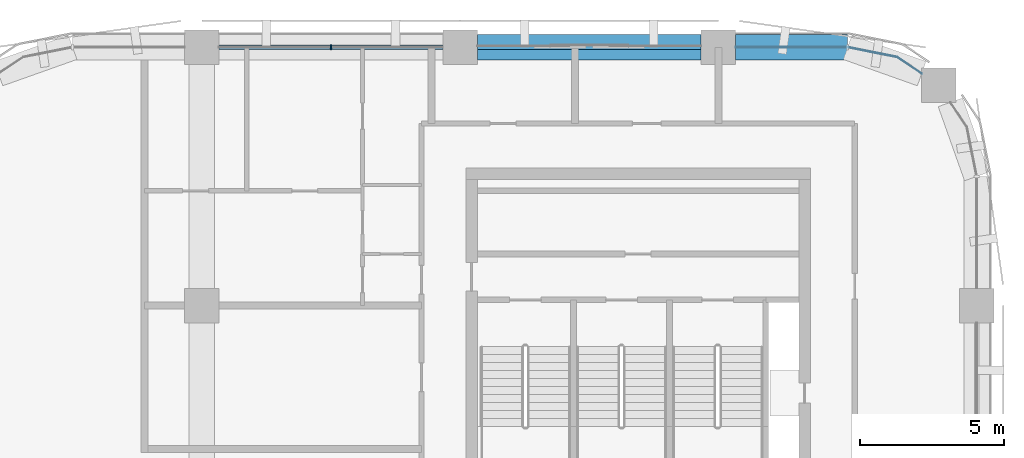
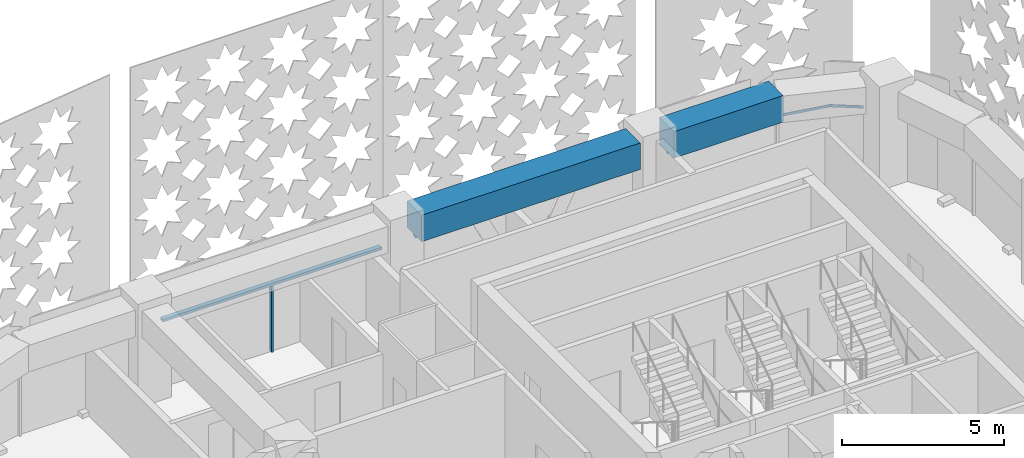
# One storey, part 4 of 15: 4 members, 2 beams, 3 elements without a shape of their own.
"""IFC4 building model written with IfcOpenShell, lengths in metres."""

from ifc_helpers import new_model, si_unit, direction, frame, origin, origin_2d, place, context, subcontext, project, spatial, polyline, rectangle, outline, extrude, material, material_profile, profile_set, type_object, element, aggregate, save


model = new_model("IFC4")

# Units and contexts
model_context = context("Model", 3, precision=1e-05, world=origin(), true_north=direction((0.0, 1.0)))
body_context = subcontext(model_context, "Body", "Model", "MODEL_VIEW")
ifc_project = project(units=[si_unit("LENGTHUNIT", "METRE"), si_unit("AREAUNIT", "SQUARE_METRE"), si_unit("VOLUMEUNIT", "CUBIC_METRE"), si_unit("PLANEANGLEUNIT", "RADIAN"), si_unit("MASSUNIT", "GRAM", prefix="KILO")], contexts=[model_context])

# Site, building, storey
site_placement = place(None, origin())
site = spatial("IfcSite", under=ifc_project, at=site_placement, CompositionType="ELEMENT")
building_placement = place(site_placement, origin())
building = spatial("IfcBuilding", under=site, at=building_placement, Name="Tessera Arch", CompositionType="ELEMENT")
storey_placement = place(building_placement, frame((0.0, 0.0, 257.89990234375)))
storey = spatial("IfcBuildingStorey", under=building, at=storey_placement, Name="L62", CompositionType="ELEMENT", Elevation=257.89990234375)

# Curtain wall, members
ifc_material_1 = material(Name="CW1 curtain wall")
curtain_wall_type_1 = type_object("IfcCurtainWallType", Name="CW1 curtain wall", PredefinedType="NOTDEFINED", material=ifc_material_1)
curtain_wall_1_placement = place(storey_placement, origin())
curtain_wall_1 = element("IfcCurtainWall", 1, at=curtain_wall_1_placement, inside=storey, type_object=curtain_wall_type_1, Name="CW1 curtain wall N54.18/2 L62", PredefinedType="NOTDEFINED")
ifc_material_2 = material(Name="Anodised aluminium pale metal", Category="aluminium")
ifc_material_profile_1 = material_profile(ifc_material_2, rectangle(XDim=0.159912109375, YDim=0.06005859375, at=origin_2d()), Name="AL 60x160")
ifc_profile_set_1 = profile_set([ifc_material_profile_1], Name="Anodised aluminium pale metal")
member_type_1 = type_object("IfcMemberType", Name="CW1 mullion", PredefinedType="MULLION", material=ifc_profile_set_1)
member_1_placement = place(storey_placement, frame((31.5, 54.0, 0.0), z_axis=(0.0, 0.0, 1.0), x_axis=(0.0, -1.0, 0.0)))
member_1 = element("IfcMember", 2, at=member_1_placement, type_object=member_type_1, Name="CW1 mullion N54.18/2 1", PredefinedType="MULLION", context=body_context, shape_type="SweptSolid", body=[
    extrude(rectangle(XDim=0.159912109375, YDim=0.06005859375, at=origin_2d()), origin(), (0.0, 0.0, 1.0), 2.5),
])
ifc_material_3 = material(Name="Anodised aluminium pale metal", Category="aluminium")
ifc_material_profile_2 = material_profile(ifc_material_3, rectangle(XDim=0.159912109375, YDim=0.10009765625, at=origin_2d()), Name="AL 160x100")
ifc_profile_set_2 = profile_set([ifc_material_profile_2], Name="Anodised aluminium pale metal")
member_type_2 = type_object("IfcMemberType", Name="CW1 transom", PredefinedType="USERDEFINED", material=ifc_profile_set_2)
member_2_placement = place(storey_placement, frame((35.39990234375, 54.0, 2.550048828125), z_axis=(-1.0, 0.0, 0.0), x_axis=(0.0, -1.0, 0.0)))
member_2 = element("IfcMember", 3, at=member_2_placement, type_object=member_type_2, Name="CW1 transom N54.18/2 1.1", ObjectType="TRANSOM", PredefinedType="USERDEFINED", context=body_context, shape_type="SweptSolid", body=[
    extrude(rectangle(XDim=0.159912109375, YDim=0.10009765625, at=origin_2d()), origin(), (0.0, 0.0, 1.0), 7.7998046875),
])
aggregate(curtain_wall_1, [member_1, member_2])

# Curtain wall, member
ifc_material_4 = material(Name="CW2 curtain wall")
curtain_wall_type_2 = type_object("IfcCurtainWallType", Name="CW2 curtain wall", PredefinedType="NOTDEFINED", material=ifc_material_4)
curtain_wall_2_placement = place(storey_placement, origin())
curtain_wall_2 = element("IfcCurtainWall", 4, at=curtain_wall_2_placement, inside=storey, type_object=curtain_wall_type_2, Name="CW2 curtain wall N54.18/0 L62", PredefinedType="NOTDEFINED")
ifc_material_5 = material(Name="Anodised aluminium pale metal", Category="aluminium")
ifc_material_profile_3 = material_profile(ifc_material_5, rectangle(XDim=0.199951171875, YDim=0.10009765625, at=origin_2d()), Name="AL 200x100")
ifc_profile_set_3 = profile_set([ifc_material_profile_3], Name="Anodised aluminium pale metal")
member_type_3 = type_object("IfcMemberType", Name="CW2 transom", PredefinedType="USERDEFINED", material=ifc_profile_set_3)
member_3_placement = place(storey_placement, frame((0.0, 0.0, 2.5)))
member_3 = element("IfcMember", 5, at=member_3_placement, type_object=member_type_3, Name="CW2 transom N54.18/0 1", ObjectType="TRANSOM", PredefinedType="USERDEFINED", context=body_context, shape_type="SweptSolid", body=[
    extrude(outline(polyline([(51.21826171875, 53.648193359375), (52.076416015625, 53.07470703125), (52.087646484375, 53.09130859375), (51.22607421875, 53.6669921875), (49.5009765625, 54.010009765625), (45.60009765625, 54.010009765625), (45.60009765625, 53.989990234375), (49.4990234375, 53.989990234375), (51.21826171875, 53.648193359375)])), origin(), (0.0, 0.0, 1.0), 0.10009765625),
])
aggregate(curtain_wall_2, [member_3])

ifc_material_6 = material(Name="CW3 curtain wall")
curtain_wall_type_3 = type_object("IfcCurtainWallType", Name="CW3 curtain wall", PredefinedType="NOTDEFINED", material=ifc_material_6)
curtain_wall_3_placement = place(storey_placement, origin())
curtain_wall_3 = element("IfcCurtainWall", 6, at=curtain_wall_3_placement, inside=storey, type_object=curtain_wall_type_3, Name="CW3 curtain wall N54.18/1 L62", PredefinedType="NOTDEFINED")
ifc_material_7 = material(Name="Anodised aluminium pale metal", Category="aluminium")
ifc_material_profile_4 = material_profile(ifc_material_7, rectangle(XDim=0.139892578125, YDim=0.10009765625, at=origin_2d()), Name="AL 140x100")
ifc_profile_set_4 = profile_set([ifc_material_profile_4], Name="Anodised aluminium pale metal")
member_type_4 = type_object("IfcMemberType", Name="CW3 transom", PredefinedType="USERDEFINED", material=ifc_profile_set_4)
member_4_placement = place(storey_placement, frame((44.39990234375, 54.0, 2.550048828125), z_axis=(-1.0, 0.0, 0.0), x_axis=(0.0, -1.0, 0.0)))
member_4 = element("IfcMember", 7, at=member_4_placement, type_object=member_type_4, Name="CW3 transom N54.18/1 1.1", ObjectType="TRANSOM", PredefinedType="USERDEFINED", context=body_context, shape_type="SweptSolid", body=[
    extrude(rectangle(XDim=0.139892578125, YDim=0.10009765625, at=origin_2d()), origin(), (0.0, 0.0, 1.0), 7.7998046875),
])
aggregate(curtain_wall_3, [member_4])

# Beams
ifc_material_8 = material(Name="Concrete C60/75", Category="concrete")
ifc_material_profile_5 = material_profile(ifc_material_8, rectangle(XDim=0.89990234375, YDim=1.0, at=origin_2d()), Name="RC spandrel beam 900 x 1000 Concrete C60/75")
ifc_profile_set_5 = profile_set([ifc_material_profile_5], Name="Concrete C60/75")
beam_type = type_object("IfcBeamType", Name="RC spandrel beam 900 x 1000 Concrete C60/75", PredefinedType="BEAM", material=ifc_profile_set_5)
beam_1_placement = place(storey_placement, frame((49.5, 54.0, 3.10009765625), z_axis=(-1.0, 0.0, 0.0), x_axis=(0.0, -1.0, 0.0)))
element("IfcBeam", 8, at=beam_1_placement, inside=storey, type_object=beam_type, Name="Spandrel beam L62 N54.18/0.2", PredefinedType="BEAM", context=body_context, shape_type="SweptSolid", body=[
    extrude(rectangle(XDim=0.89990234375, YDim=1.0, at=origin_2d()), origin(), (0.0, 0.0, 1.0), 3.89990234375),
])
beam_2_placement = place(storey_placement, frame((44.39990234375, 54.0, 3.10009765625), z_axis=(-1.0, 0.0, 0.0), x_axis=(0.0, -1.0, 0.0)))
element("IfcBeam", 9, at=beam_2_placement, inside=storey, type_object=beam_type, Name="Spandrel beam L62 N54.18/1", PredefinedType="BEAM", context=body_context, shape_type="SweptSolid", body=[
    extrude(rectangle(XDim=0.89990234375, YDim=1.0, at=origin_2d()), origin(), (0.0, 0.0, 1.0), 7.7998046875),
])

save(model, "model.ifc")
